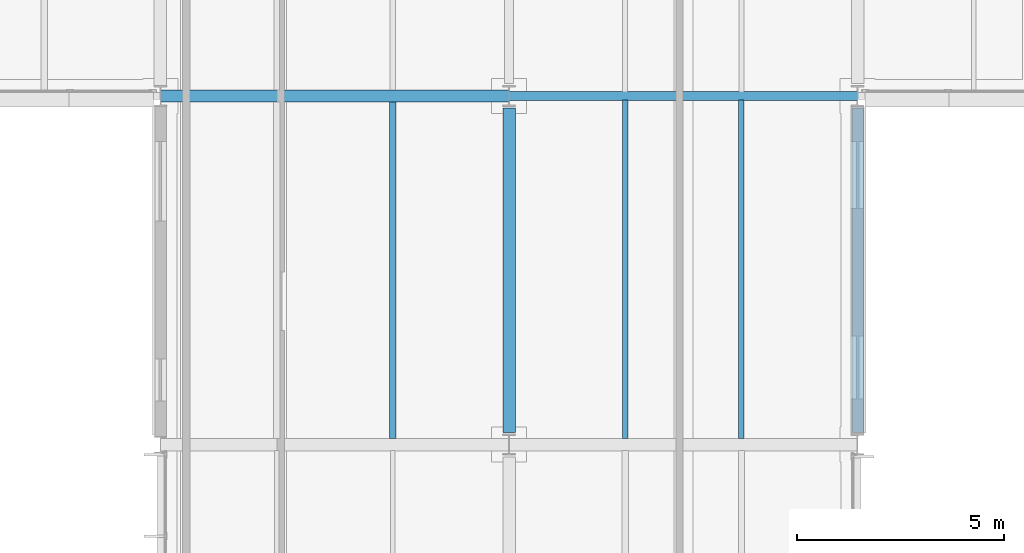
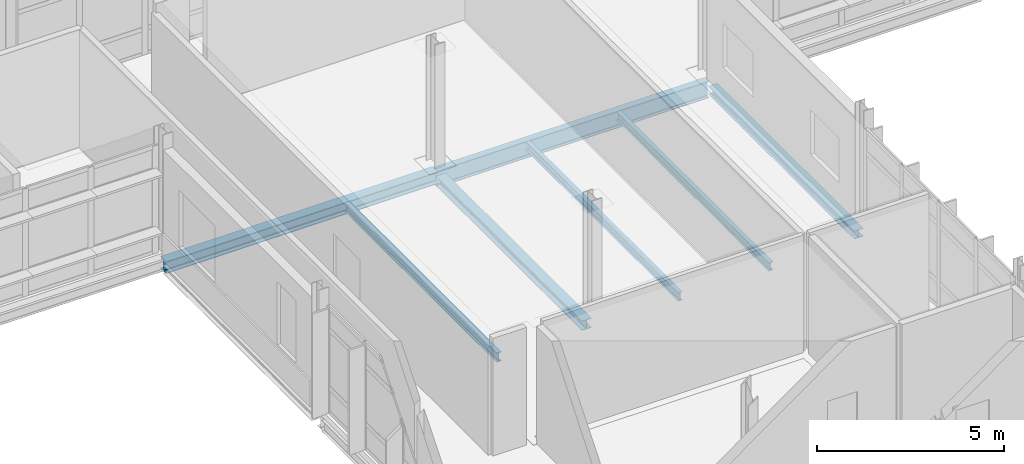
# One storey, part 80 of 151: 7 beams.
"""IFC4 building model written with IfcOpenShell, lengths in metres."""

from ifc_helpers import new_model, si_unit, direction, frame, origin, origin_2d, place, context, subcontext, project, spatial, i_section, extrude, material, material_profile, profile_set, type_object, element, save


model = new_model("IFC4")

# Units and contexts
model_context = context("Model", 3, precision=1e-05, world=origin(), true_north=direction((0.0, 1.0)))
body_context = subcontext(model_context, "Body", "Model", "MODEL_VIEW")
ifc_project = project(units=[si_unit("LENGTHUNIT", "METRE"), si_unit("AREAUNIT", "SQUARE_METRE"), si_unit("VOLUMEUNIT", "CUBIC_METRE"), si_unit("PLANEANGLEUNIT", "RADIAN"), si_unit("MASSUNIT", "GRAM", prefix="KILO")], contexts=[model_context])

# Site, building, storey
site_placement = place(None, origin())
site = spatial("IfcSite", under=ifc_project, at=site_placement, CompositionType="ELEMENT")
building_placement = place(site_placement, origin())
building = spatial("IfcBuilding", under=site, at=building_placement, Name="Mersafa Astral City Hall", CompositionType="ELEMENT")
storey_placement = place(building_placement, frame((0.0, 0.0, 9.89990234375)))
storey = spatial("IfcBuildingStorey", under=building, at=storey_placement, Name="L02", CompositionType="ELEMENT", Elevation=9.89990234375)

# Beams
ifc_material = material(Name="Steel S355", Category="steel")
ifc_material_profile_1 = material_profile(ifc_material, i_section(OverallWidth=0.300048828125, OverallDepth=0.31005859375, WebThickness=0.009033203125, FlangeThickness=0.015380859375, FilletRadius=0.027099609375, at=origin_2d()), Name="HEA 320")
ifc_profile_set_1 = profile_set([ifc_material_profile_1], Name="Steel S355")
beam_type_1 = type_object("IfcBeamType", Name="STR-BM-HEA320", PredefinedType="BEAM", material=ifc_profile_set_1)
beam_1_placement = place(storey_placement, frame((109.199951171875, 109.4951171875, -0.35498046875), z_axis=(0.0, 1.0, 0.0), x_axis=(-1.0, 0.0, 0.0)))
element("IfcBeam", 1, at=beam_1_placement, inside=storey, type_object=beam_type_1, Name="L02 Primary girder Y 13-13", PredefinedType="BEAM", context=body_context, shape_type="SweptSolid", body=[
    extrude(i_section(OverallWidth=0.300048828125, OverallDepth=0.31005859375, WebThickness=0.009033203125, FlangeThickness=0.015380859375, FilletRadius=0.027099609375, at=origin_2d()), origin(), (0.0, 0.0, 1.0), 7.809814453125),
])
ifc_material_profile_2 = material_profile(ifc_material, i_section(OverallWidth=0.300048828125, OverallDepth=0.389892578125, WebThickness=0.010986328125, FlangeThickness=0.01904296875, FilletRadius=0.027099609375, at=origin_2d()), Name="HEA 400")
ifc_profile_set_2 = profile_set([ifc_material_profile_2], Name="Steel S355")
beam_type_2 = type_object("IfcBeamType", Name="STR-BM-HEA400", PredefinedType="BEAM", material=ifc_profile_set_2)
beam_2_placement = place(storey_placement, frame((100.802978515625, 117.60009765625, -0.39501953125), z_axis=(1.0, 0.0, 0.0), x_axis=(0.0, 1.0, 0.0)))
element("IfcBeam", 2, at=beam_2_placement, inside=storey, type_object=beam_type_2, Name="L02 Primary girder X 12-14", PredefinedType="BEAM", context=body_context, shape_type="SweptSolid", body=[
    extrude(i_section(OverallWidth=0.300048828125, OverallDepth=0.389892578125, WebThickness=0.010986328125, FlangeThickness=0.01904296875, FilletRadius=0.027099609375, at=origin_2d()), origin(), (0.0, 0.0, 1.0), 8.39404296875),
])
ifc_material_profile_3 = material_profile(ifc_material, i_section(OverallWidth=0.2099609375, OverallDepth=0.550048828125, WebThickness=0.010986328125, FlangeThickness=0.01708984375, FilletRadius=0.02392578125, at=origin_2d()), Name="IPE 550")
ifc_profile_set_3 = profile_set([ifc_material_profile_3], Name="Steel S355")
beam_type_3 = type_object("IfcBeamType", Name="STR-BM-IPE550", PredefinedType="BEAM", material=ifc_profile_set_3)
beam_3_placement = place(storey_placement, frame((109.202880859375, 117.60009765625, -0.474853515625), z_axis=(1.0, 0.0, 0.0), x_axis=(0.0, 1.0, 0.0)))
element("IfcBeam", 3, at=beam_3_placement, inside=storey, type_object=beam_type_3, Name="L02 Primary girder X 13-14", PredefinedType="BEAM", context=body_context, shape_type="SweptSolid", body=[
    extrude(i_section(OverallWidth=0.2099609375, OverallDepth=0.550048828125, WebThickness=0.010986328125, FlangeThickness=0.01708984375, FilletRadius=0.02392578125, at=origin_2d()), origin(), (0.0, 0.0, 1.0), 8.39404296875),
])
ifc_material_profile_4 = material_profile(ifc_material, i_section(OverallWidth=0.135009765625, OverallDepth=0.27001953125, WebThickness=0.006591796875, FlangeThickness=0.01025390625, FilletRadius=0.014892578125, at=origin_2d()), Name="IPE 270")
ifc_profile_set_4 = profile_set([ifc_material_profile_4], Name="Steel S355")
beam_type_4 = type_object("IfcBeamType", Name="STR-BM-JOIST-IPE270", PredefinedType="JOIST", material=ifc_profile_set_4)
for number, where, z_axis, x_axis, name in (
    (4, (112.0, 109.344970703125, -0.3349609375), (0.0, 1.0, 0.0), (-1.0, 0.0, 0.0), "L02 Composite secondary floor joist 490"),
    (5, (114.800048828125, 109.344970703125, -0.3349609375), (0.0, 1.0, 0.0), (-1.0, 0.0, 0.0), "L02 Composite secondary floor joist 491"),
):
    element("IfcBeam", number, at=place(storey_placement, frame(where, z_axis=z_axis, x_axis=x_axis)), inside=storey, type_object=beam_type_4, Name=name, PredefinedType="JOIST", context=body_context, shape_type="SweptSolid", body=[
        extrude(i_section(OverallWidth=0.135009765625, OverallDepth=0.27001953125, WebThickness=0.006591796875, FlangeThickness=0.01025390625, FilletRadius=0.014892578125, at=origin_2d()), origin(), (0.0, 0.0, 1.0), 8.155029296875),
    ])
ifc_material_profile_5 = material_profile(ifc_material, i_section(OverallWidth=0.14990234375, OverallDepth=0.300048828125, WebThickness=0.007080078125, FlangeThickness=0.0107421875, FilletRadius=0.014892578125, at=origin_2d()), Name="IPE 300")
ifc_profile_set_5 = profile_set([ifc_material_profile_5], Name="Steel S355")
beam_type_5 = type_object("IfcBeamType", Name="STR-BM-JOIST-IPE300", PredefinedType="JOIST", material=ifc_profile_set_5)
beam_4_placement = place(storey_placement, frame((106.39990234375, 109.344970703125, -0.349853515625), z_axis=(0.0, 1.0, 0.0), x_axis=(-1.0, 0.0, 0.0)))
element("IfcBeam", 6, at=beam_4_placement, inside=storey, type_object=beam_type_5, Name="L02 Composite secondary floor joist 467", PredefinedType="JOIST", context=body_context, shape_type="SweptSolid", body=[
    extrude(i_section(OverallWidth=0.14990234375, OverallDepth=0.300048828125, WebThickness=0.007080078125, FlangeThickness=0.0107421875, FilletRadius=0.014892578125, at=origin_2d()), origin(), (0.0, 0.0, 1.0), 8.110107421875),
])
ifc_material_profile_6 = material_profile(ifc_material, i_section(OverallWidth=0.280029296875, OverallDepth=0.27001953125, WebThickness=0.008056640625, FlangeThickness=0.012939453125, FilletRadius=0.02392578125, at=origin_2d()), Name="HEA 280")
ifc_profile_set_6 = profile_set([ifc_material_profile_6], Name="Steel S355")
beam_type_6 = type_object("IfcBeamType", Name="STR-BM-SPANDREL-HEA280", PredefinedType="SPANDREL", material=ifc_profile_set_6)
beam_5_placement = place(storey_placement, frame((117.60009765625, 109.4951171875, -0.3349609375), z_axis=(0.0, 1.0, 0.0), x_axis=(-1.0, 0.0, 0.0)))
element("IfcBeam", 7, at=beam_5_placement, inside=storey, type_object=beam_type_6, Name="L02 Primary girder Y 14-13", PredefinedType="SPANDREL", context=body_context, shape_type="SweptSolid", body=[
    extrude(i_section(OverallWidth=0.280029296875, OverallDepth=0.27001953125, WebThickness=0.008056640625, FlangeThickness=0.012939453125, FilletRadius=0.02392578125, at=origin_2d()), origin(), (0.0, 0.0, 1.0), 7.809814453125),
])

save(model, "model.ifc")
